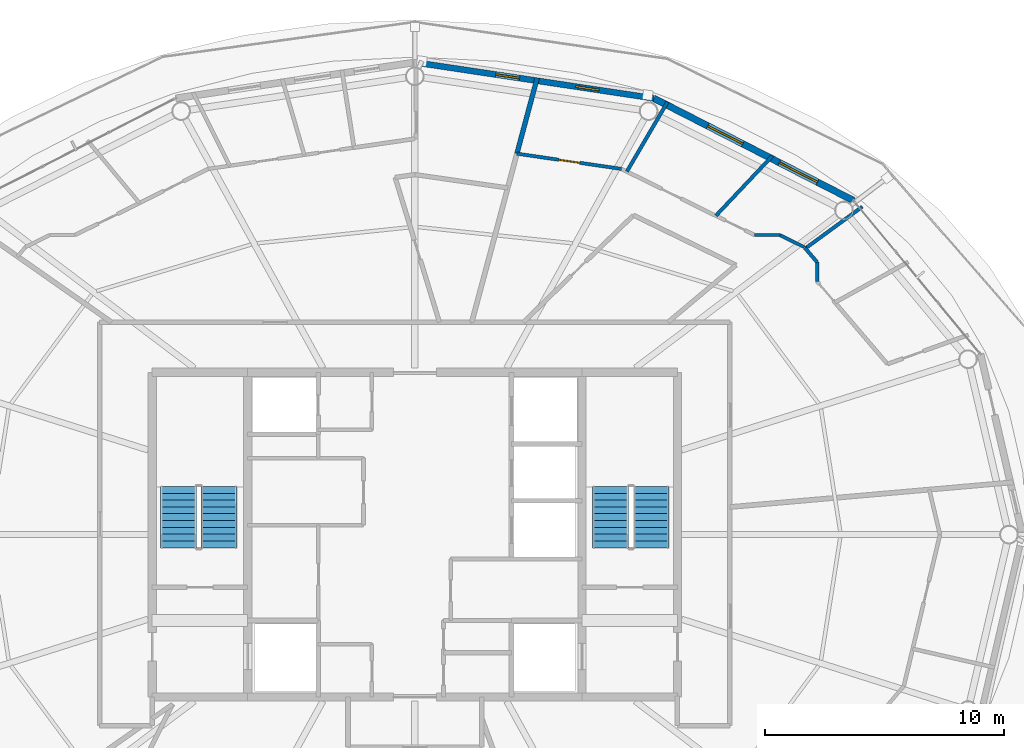
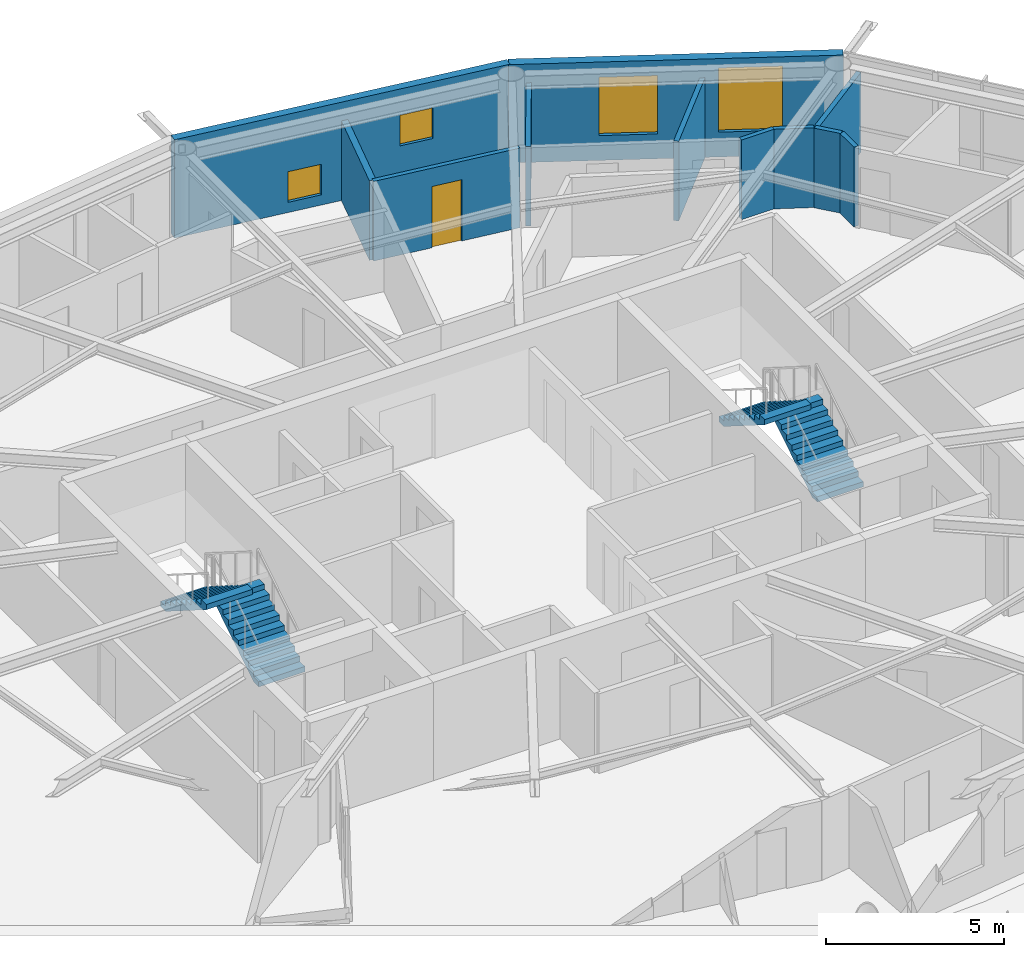
# One storey, part 20 of 23: 11 walls, 4 stair flights, 4 windows, 1 door, 5 openings, 2 elements without a shape of their own.
"""IFC4 building model written with IfcOpenShell, lengths in metres."""

from ifc_helpers import new_model, si_unit, direction, frame, frame_2d, origin, place, context, subcontext, project, spatial, polyline, rectangle, outline, extrude, material, layer, layer_set, type_object, element, fill, aggregate, save


model = new_model("IFC4")

# Units and contexts
model_context = context("Model", 3, precision=1e-05, world=origin(), true_north=direction((0.0, 1.0)))
body_context = subcontext(model_context, "Body", "Model", "MODEL_VIEW")
ifc_project = project(units=[si_unit("LENGTHUNIT", "METRE"), si_unit("AREAUNIT", "SQUARE_METRE"), si_unit("VOLUMEUNIT", "CUBIC_METRE"), si_unit("PLANEANGLEUNIT", "RADIAN"), si_unit("MASSUNIT", "GRAM", prefix="KILO")], contexts=[model_context])

# Site, building, storey
site_placement = place(None, origin())
site = spatial("IfcSite", under=ifc_project, at=site_placement, CompositionType="ELEMENT")
building_placement = place(site_placement, origin())
building = spatial("IfcBuilding", under=site, at=building_placement, Name="Sarneth Arch Tower", CompositionType="ELEMENT")
storey_placement = place(building_placement, frame((0.0, 0.0, 273.0)))
storey = spatial("IfcBuildingStorey", under=building, at=storey_placement, Name="L70", CompositionType="ELEMENT", Elevation=273.0)

# Wall, openings, windows
ifc_material_1 = material(Name="Extruded terracotta rainscreen on Concrete C40/50 backing", Category="masonry")
ifc_layer_1 = layer(ifc_material_1, 0.25)
ifc_layer_set_1 = layer_set([ifc_layer_1], Name="Extruded terracotta rainscreen on Concrete C40/50 backing")
wall_type_1 = type_object("IfcWallType", Name="WALL-EXT-SPAND-250", PredefinedType="SOLIDWALL", material=ifc_layer_set_1)
wall_1_placement = place(storey_placement, frame((58.0126953125, 60.2744140625, 0.0), z_axis=(0.0, 0.0, 1.0), x_axis=(-0.988882522213, 0.148698881169, 0.0)))
wall_1 = element("IfcWall", 1, at=wall_1_placement, inside=storey, type_object=wall_type_1, Name="L70 Terracotta perimeter wall 04", PredefinedType="SOLIDWALL", context=body_context, shape_type="SweptSolid", body=[
    extrude(rectangle(XDim=10.125244140625, YDim=0.25, at=frame_2d((5.0625, 0.0))), origin(), (0.0, 0.0, 1.0), 3.3701171875),
])
opening_1_placement = place(wall_1_placement, frame((2.319580078125, 0.0, 1.419921875)))
opening_1 = element("IfcOpeningElement", 2, at=opening_1_placement, cuts=wall_1, Name="Opening W-14", PredefinedType="OPENING", context=body_context, shape_type="SweptSolid", body=[
    extrude(rectangle(XDim=1.0, YDim=1.050048828125, at=frame_2d((0.5, 0.52490234375))), frame((0.0, 0.135009765625, 0.0), z_axis=(0.0, -1.0, 0.0), x_axis=(1.0, 0.0, 0.0)), (0.0, 0.0, 1.0), 0.27001953125),
])
opening_2_placement = place(wall_1_placement, frame((5.69189453125, 0.0, 0.35009765625)))
opening_2 = element("IfcOpeningElement", 3, at=opening_2_placement, cuts=wall_1, Name="Opening W-14", PredefinedType="OPENING", context=body_context, shape_type="SweptSolid", body=[
    extrude(rectangle(XDim=1.0, YDim=1.050048828125, at=frame_2d((0.5, 0.52490234375))), frame((0.0, 0.135009765625, 0.0), z_axis=(0.0, -1.0, 0.0), x_axis=(1.0, 0.0, 0.0)), (0.0, 0.0, 1.0), 0.27001953125),
])
ifc_material_2 = material(Name="Thermally broken Aluminium 6063-T6 and low-e laminated IGU", Category="aluminium")
window_type_1 = type_object("IfcWindowType", Name="WIN-TWR-1000x1050", PartitioningType="SINGLE_PANEL", PredefinedType="WINDOW", material=ifc_material_2)
window_1_placement = place(opening_1_placement, origin())
window_1 = element("IfcWindow", 4, at=window_1_placement, inside=storey, type_object=window_type_1, Name="L70 Dwelling bedroom window 01", OverallHeight=1.050048828125, OverallWidth=1.0, PartitioningType="SINGLE_PANEL", PredefinedType="WINDOW", context=body_context, shape_type="SweptSolid", body=[
    extrude(rectangle(XDim=1.0, YDim=1.050048828125, at=frame_2d((0.5, 0.52490234375))), frame((0.0, 0.030029296875, 0.0), z_axis=(0.0, -1.0, 0.0), x_axis=(1.0, 0.0, 0.0)), (0.0, 0.0, 1.0), 0.06005859375),
])
fill(opening_1, window_1)
window_2_placement = place(opening_2_placement, origin())
window_2 = element("IfcWindow", 5, at=window_2_placement, inside=storey, type_object=window_type_1, Name="L70 Dwelling bedroom window 02", OverallHeight=1.050048828125, OverallWidth=1.0, PartitioningType="SINGLE_PANEL", PredefinedType="WINDOW", context=body_context, shape_type="SweptSolid", body=[
    extrude(rectangle(XDim=1.0, YDim=1.050048828125, at=frame_2d((0.5, 0.52490234375))), frame((0.0, 0.030029296875, 0.0), z_axis=(0.0, -1.0, 0.0), x_axis=(1.0, 0.0, 0.0)), (0.0, 0.0, 1.0), 0.06005859375),
])
fill(opening_2, window_2)

ifc_material_3 = material(Name="Extruded terracotta rainscreen on Concrete C40/50 backing", Category="masonry")
ifc_layer_2 = layer(ifc_material_3, 0.280029296875)
ifc_layer_set_2 = layer_set([ifc_layer_2], Name="Extruded terracotta rainscreen on Concrete C40/50 backing")
wall_type_2 = type_object("IfcWallType", Name="WALL-EXT-TERRA-280", PredefinedType="SOLIDWALL", material=ifc_layer_set_2)
wall_2_placement = place(storey_placement, frame((66.382568359375, 55.986572265625, 0.0), z_axis=(0.0, 0.0, 1.0), x_axis=(-0.890007394051, 0.455946091699, 0.0)))
wall_2 = element("IfcWall", 6, at=wall_2_placement, inside=storey, type_object=wall_type_2, Name="L70 Terracotta perimeter wall 03", PredefinedType="SOLIDWALL", context=body_context, shape_type="SweptSolid", body=[
    extrude(rectangle(XDim=9.404296875, YDim=0.280029296875, at=frame_2d((4.7021484375, 0.0))), origin(), (0.0, 0.0, 1.0), 3.3701171875),
])
opening_3_placement = place(wall_2_placement, frame((1.706298828125, 0.0, 0.85009765625)))
opening_3 = element("IfcOpeningElement", 7, at=opening_3_placement, cuts=wall_2, Name="Opening W-04", PredefinedType="OPENING", context=body_context, shape_type="SweptSolid", body=[
    extrude(rectangle(XDim=1.800048828125, YDim=2.199951171875, at=frame_2d((0.89990234375, 1.10009765625))), frame((0.0, 0.14990234375, 0.0), z_axis=(0.0, -1.0, 0.0), x_axis=(1.0, 0.0, 0.0)), (0.0, 0.0, 1.0), 0.300048828125),
])
opening_4_placement = place(wall_2_placement, frame((5.22216796875, 0.0, 0.85009765625)))
opening_4 = element("IfcOpeningElement", 8, at=opening_4_placement, cuts=wall_2, Name="Opening W-05", PredefinedType="OPENING", context=body_context, shape_type="SweptSolid", body=[
    extrude(rectangle(XDim=1.64990234375, YDim=2.0, at=frame_2d((0.824951171875, 1.0))), frame((0.0, 0.14990234375, 0.0), z_axis=(0.0, -1.0, 0.0), x_axis=(1.0, 0.0, 0.0)), (0.0, 0.0, 1.0), 0.300048828125),
])
ifc_material_4 = material(Name="Thermally broken Aluminium 6063-T6 and low-e laminated IGU", Category="aluminium")
window_type_2 = type_object("IfcWindowType", Name="WIN-TWR-1650x2000", PartitioningType="DOUBLE_PANEL_VERTICAL", PredefinedType="WINDOW", material=ifc_material_4)
window_3_placement = place(opening_4_placement, origin())
window_3 = element("IfcWindow", 9, at=window_3_placement, inside=storey, type_object=window_type_2, Name="L70 Exterior window 03B", OverallHeight=2.0, OverallWidth=1.64990234375, PartitioningType="SINGLE_PANEL", PredefinedType="WINDOW", context=body_context, shape_type="SweptSolid", body=[
    extrude(rectangle(XDim=1.64990234375, YDim=2.0, at=frame_2d((0.824951171875, 1.0))), frame((0.0, 0.030029296875, 0.0), z_axis=(0.0, -1.0, 0.0), x_axis=(1.0, 0.0, 0.0)), (0.0, 0.0, 1.0), 0.06005859375),
])
fill(opening_4, window_3)
ifc_material_5 = material(Name="Thermally broken Aluminium 6063-T6 and low-e laminated IGU", Category="aluminium")
window_type_3 = type_object("IfcWindowType", Name="WIN-TWR-1800x2200", PartitioningType="DOUBLE_PANEL_VERTICAL", PredefinedType="WINDOW", material=ifc_material_5)
window_4_placement = place(opening_3_placement, origin())
window_4 = element("IfcWindow", 10, at=window_4_placement, inside=storey, type_object=window_type_3, Name="L70 Exterior window 03A", OverallHeight=2.199951171875, OverallWidth=1.800048828125, PartitioningType="SINGLE_PANEL", PredefinedType="WINDOW", context=body_context, shape_type="SweptSolid", body=[
    extrude(rectangle(XDim=1.800048828125, YDim=2.199951171875, at=frame_2d((0.89990234375, 1.10009765625))), frame((0.0, 0.030029296875, 0.0), z_axis=(0.0, -1.0, 0.0), x_axis=(1.0, 0.0, 0.0)), (0.0, 0.0, 1.0), 0.06005859375),
])
fill(opening_3, window_4)

# Wall, opening, door
ifc_material_6 = material(Name="Apartment internal stud partition", Category="gypsum")
ifc_layer_3 = layer(ifc_material_6, 0.139892578125)
ifc_layer_set_3 = layer_set([ifc_layer_3], Name="Apartment internal stud partition")
wall_type_3 = type_object("IfcWallType", Name="WALL-PART-140", PredefinedType="PARTITIONING", material=ifc_layer_set_3)
wall_3_placement = place(storey_placement, frame((56.65478515625, 57.31787109375, 0.0), z_axis=(0.0, 0.0, 1.0), x_axis=(-0.989532652843, 0.144309143708, 0.0)))
wall_3 = element("IfcWall", 11, at=wall_3_placement, inside=storey, type_object=wall_type_3, Name="L70 Interior partition W-L70-TP-032", PredefinedType="PARTITIONING", context=body_context, shape_type="SweptSolid", body=[
    extrude(rectangle(XDim=4.42578125, YDim=0.139892578125, at=frame_2d((2.212890625, 0.0))), origin(), (0.0, 0.0, 1.0), 2.72998046875),
])
opening_5_placement = place(wall_3_placement, frame((1.762939453125, 0.0, 0.0)))
opening_5 = element("IfcOpeningElement", 12, at=opening_5_placement, cuts=wall_3, Name="Opening ID-01", PredefinedType="OPENING", context=body_context, shape_type="SweptSolid", body=[
    extrude(rectangle(XDim=0.89990234375, YDim=2.10009765625, at=frame_2d((0.449951171875, 1.050048828125))), frame((0.0, 0.079833984375, 0.0), z_axis=(0.0, -1.0, 0.0), x_axis=(1.0, 0.0, 0.0)), (0.0, 0.0, 1.0), 0.159912109375),
])
ifc_material_7 = material(Name="Engineered hardwood flush door", Category="wood")
door_type = type_object("IfcDoorType", Name="DR-INT-900", OperationType="SINGLE_SWING_LEFT", PredefinedType="DOOR", material=ifc_material_7)
door_placement = place(opening_5_placement, origin())
door = element("IfcDoor", 13, at=door_placement, inside=storey, type_object=door_type, Name="L70 Interior door DR-L70-U1-BED3", OperationType="SINGLE_SWING_LEFT", OverallHeight=2.10009765625, OverallWidth=0.89990234375, PredefinedType="DOOR", context=body_context, shape_type="SweptSolid", body=[
    extrude(rectangle(XDim=0.89990234375, YDim=2.10009765625, at=frame_2d((0.449951171875, 1.050048828125))), frame((0.0, 0.02490234375, 0.0), z_axis=(0.0, -1.0, 0.0), x_axis=(1.0, 0.0, 0.0)), (0.0, 0.0, 1.0), 0.050048828125),
])
fill(opening_5, door)

# Walls
wall_4_placement = place(storey_placement, frame((64.31103515625, 54.0419921875, 0.0), z_axis=(0.0, 0.0, 1.0), x_axis=(-0.895409226325, 0.445244109912, 0.0)))
element("IfcWall", 14, at=wall_4_placement, inside=storey, type_object=wall_type_3, Name="L70 Interior partition W-L70-TP-027", PredefinedType="PARTITIONING", context=body_context, shape_type="SweptSolid", body=[
    extrude(rectangle(XDim=1.14111328125, YDim=0.139892578125, at=frame_2d((0.570556640625, 0.0))), origin(), (0.0, 0.0, 1.0), 2.72998046875),
])
wall_5_placement = place(storey_placement, frame((63.289306640625, 54.550048828125, 0.0), z_axis=(0.0, 0.0, 1.0), x_axis=(-1.0, 0.0, 0.0)))
element("IfcWall", 15, at=wall_5_placement, inside=storey, type_object=wall_type_3, Name="L70 Interior partition W-L70-TP-028", PredefinedType="PARTITIONING", context=body_context, shape_type="SweptSolid", body=[
    extrude(rectangle(XDim=1.0625, YDim=0.139892578125, at=frame_2d((0.53125, 0.0))), origin(), (0.0, 0.0, 1.0), 2.72998046875),
])
ifc_material_8 = material(Name="Acoustic gypsum stud partition", Category="gypsum")
ifc_layer_4 = layer(ifc_material_8, 0.14990234375)
ifc_layer_set_4 = layer_set([ifc_layer_4], Name="Acoustic gypsum stud partition")
wall_type_4 = type_object("IfcWallType", Name="WALL-PART-150", PredefinedType="PARTITIONING", material=ifc_layer_set_4)
wall_6_placement = place(storey_placement, frame((60.608154296875, 55.35400390625, 0.0), z_axis=(0.0, 0.0, 1.0), x_axis=(0.686532055538, 0.727099537009, 0.0)))
element("IfcWall", 16, at=wall_6_placement, inside=storey, type_object=wall_type_4, Name="L70 Interior partition W-L70-TP-039", PredefinedType="PARTITIONING", context=body_context, shape_type="SweptSolid", body=[
    extrude(rectangle(XDim=3.448486328125, YDim=0.14990234375, at=frame_2d((1.72412109375, 0.0))), origin(), (0.0, 0.0, 1.0), 2.72998046875),
])
wall_7_placement = place(storey_placement, frame((58.580810546875, 60.117919921875, 0.0), z_axis=(0.0, 0.0, 1.0), x_axis=(-0.504280622188, -0.863539839316, 0.0)))
element("IfcWall", 17, at=wall_7_placement, inside=storey, type_object=wall_type_4, Name="L70 Interior partition W-L70-TP-040", PredefinedType="PARTITIONING", context=body_context, shape_type="SweptSolid", body=[
    extrude(rectangle(XDim=3.3720703125, YDim=0.14990234375, at=frame_2d((1.68603515625, 0.0))), origin(), (0.0, 0.0, 1.0), 2.72998046875),
])
wall_8_placement = place(storey_placement, frame((66.7451171875, 55.736328125, 0.0), z_axis=(0.0, 0.0, 1.0), x_axis=(-0.806661949914, -0.591013112005, 0.0)))
element("IfcWall", 18, at=wall_8_placement, inside=storey, type_object=wall_type_4, Name="L70 Interior partition W-L70-TP-038", PredefinedType="PARTITIONING", context=body_context, shape_type="SweptSolid", body=[
    extrude(rectangle(XDim=2.95947265625, YDim=0.14990234375, at=frame_2d((1.479736328125, 0.0))), origin(), (0.0, 0.0, 1.0), 2.72998046875),
])
wall_9_placement = place(storey_placement, frame((64.85009765625, 53.410400390625, 0.0), z_axis=(0.0, 0.0, 1.0), x_axis=(0.0, -1.0, 0.0)))
element("IfcWall", 19, at=wall_9_placement, inside=storey, type_object=wall_type_4, Name="L70 Interior partition W-L70-TP-020", PredefinedType="PARTITIONING", context=body_context, shape_type="SweptSolid", body=[
    extrude(rectangle(XDim=0.8115234375, YDim=0.14990234375, at=frame_2d((0.40576171875, 0.0))), origin(), (0.0, 0.0, 1.0), 2.72998046875),
])
wall_10_placement = place(storey_placement, frame((64.337158203125, 54.01171875, 0.0), z_axis=(0.0, 0.0, 1.0), x_axis=(0.648983418766, -0.760802551367, 0.0)))
element("IfcWall", 20, at=wall_10_placement, inside=storey, type_object=wall_type_4, Name="L70 Interior partition W-L70-TP-019", PredefinedType="PARTITIONING", context=body_context, shape_type="SweptSolid", body=[
    extrude(rectangle(XDim=0.790283203125, YDim=0.14990234375, at=frame_2d((0.39501953125, 0.0))), origin(), (0.0, 0.0, 1.0), 2.72998046875),
])
ifc_material_9 = material(Name="Double steel-stud acoustic drywall", Category="steel")
ifc_layer_5 = layer(ifc_material_9, 0.199951171875)
ifc_layer_set_5 = layer_set([ifc_layer_5], Name="Double steel-stud acoustic drywall")
wall_type_5 = type_object("IfcWallType", Name="WALL-UNIT-200", PredefinedType="PARTITIONING", material=ifc_layer_set_5)
wall_11_placement = place(storey_placement, frame((52.275390625, 57.95654296875, 0.0), z_axis=(0.0, 0.0, 1.0), x_axis=(0.258901994846, 0.965903596155, 0.0)))
element("IfcWall", 21, at=wall_11_placement, inside=storey, type_object=wall_type_5, Name="L70 Interior partition W-L70-TP-041", PredefinedType="PARTITIONING", context=body_context, shape_type="SweptSolid", body=[
    extrude(rectangle(XDim=3.285400390625, YDim=0.199951171875, at=frame_2d((1.642578125, 0.0))), origin(), (0.0, 0.0, 1.0), 2.72998046875),
])

# Stair, stair flights
ifc_material_10 = material(Name="Concrete C50/60", Category="concrete")
stair_type = type_object("IfcStairType", Name="STAIR-CORE-RC", PredefinedType="HALF_TURN_STAIR", material=ifc_material_10)
stair_1_placement = place(storey_placement, origin())
stair_1 = element("IfcStair", 22, at=stair_1_placement, inside=storey, type_object=stair_type, Name="L70 Core Exit Stair 1", PredefinedType="HALF_TURN_STAIR")
ifc_material_11 = material(Name="Concrete C50/60", Category="concrete")
stair_flight_type = type_object("IfcStairFlightType", Name="FLIGHT-RC-1500", PredefinedType="STRAIGHT", material=ifc_material_11)
stair_flight_1_placement = place(storey_placement, frame((39.800048828125, 41.449951171875, 0.0), z_axis=(0.0, 0.0, 1.0), x_axis=(0.0, 1.0, 0.0)))
stair_flight_1 = element("IfcStairFlight", 23, at=stair_flight_1_placement, type_object=stair_flight_type, Name="ST-1 flight 1", NumberOfRisers=10, NumberOfTreads=9, PredefinedType="STRAIGHT", RiserHeight=0.18, TreadLength=0.285, context=body_context, shape_type="SweptSolid", body=[
    extrude(outline(polyline([(0.0, 0.0), (0.0, 0.179931640625), (0.284912109375, 0.179931640625), (0.284912109375, 0.360107421875), (0.570068359375, 0.360107421875), (0.570068359375, 0.5400390625), (0.85498046875, 0.5400390625), (0.85498046875, 0.719970703125), (1.139892578125, 0.719970703125), (1.139892578125, 0.89990234375), (1.425048828125, 0.89990234375), (1.425048828125, 1.080078125), (1.7099609375, 1.080078125), (1.7099609375, 1.260009765625), (1.9951171875, 1.260009765625), (1.9951171875, 1.43994140625), (2.280029296875, 1.43994140625), (2.280029296875, 1.6201171875), (2.56494140625, 1.6201171875), (2.56494140625, 1.800048828125), (2.56494140625, 1.442626953125), (0.28076171875, 0.0), (0.0, 0.0)])), frame((0.0, 0.75, 0.0), z_axis=(0.0, -1.0, 0.0), x_axis=(1.0, 0.0, 0.0)), (0.0, 0.0, 1.0), 1.5),
])
stair_flight_2_placement = place(storey_placement, frame((38.10009765625, 44.014892578125, 1.800048828125), z_axis=(0.0, 0.0, 1.0), x_axis=(0.0, -1.0, 0.0)))
stair_flight_2 = element("IfcStairFlight", 24, at=stair_flight_2_placement, type_object=stair_flight_type, Name="ST-1 flight 2", NumberOfRisers=10, NumberOfTreads=9, PredefinedType="STRAIGHT", RiserHeight=0.18, TreadLength=0.285, context=body_context, shape_type="SweptSolid", body=[
    extrude(outline(polyline([(0.0, 0.0), (0.0, 0.179931640625), (0.284912109375, 0.179931640625), (0.284912109375, 0.360107421875), (0.570068359375, 0.360107421875), (0.570068359375, 0.5400390625), (0.85498046875, 0.5400390625), (0.85498046875, 0.719970703125), (1.139892578125, 0.719970703125), (1.139892578125, 0.89990234375), (1.425048828125, 0.89990234375), (1.425048828125, 1.080078125), (1.7099609375, 1.080078125), (1.7099609375, 1.260009765625), (1.9951171875, 1.260009765625), (1.9951171875, 1.43994140625), (2.280029296875, 1.43994140625), (2.280029296875, 1.6201171875), (2.56494140625, 1.6201171875), (2.56494140625, 1.800048828125), (2.56494140625, 1.442626953125), (0.28076171875, 0.0), (0.0, 0.0)])), frame((0.0, 0.75, 0.0), z_axis=(0.0, -1.0, 0.0), x_axis=(1.0, 0.0, 0.0)), (0.0, 0.0, 1.0), 1.5),
])
aggregate(stair_1, [stair_flight_1, stair_flight_2])

stair_2_placement = place(storey_placement, origin())
stair_2 = element("IfcStair", 25, at=stair_2_placement, inside=storey, type_object=stair_type, Name="L70 Core Exit Stair 2", PredefinedType="HALF_TURN_STAIR")
stair_flight_3_placement = place(storey_placement, frame((57.89990234375, 41.449951171875, 0.0), z_axis=(0.0, 0.0, 1.0), x_axis=(0.0, 1.0, 0.0)))
stair_flight_3 = element("IfcStairFlight", 26, at=stair_flight_3_placement, type_object=stair_flight_type, Name="ST-2 flight 1", NumberOfRisers=10, NumberOfTreads=9, PredefinedType="STRAIGHT", RiserHeight=0.18, TreadLength=0.285, context=body_context, shape_type="SweptSolid", body=[
    extrude(outline(polyline([(0.0, 0.0), (0.0, 0.179931640625), (0.284912109375, 0.179931640625), (0.284912109375, 0.360107421875), (0.570068359375, 0.360107421875), (0.570068359375, 0.5400390625), (0.85498046875, 0.5400390625), (0.85498046875, 0.719970703125), (1.139892578125, 0.719970703125), (1.139892578125, 0.89990234375), (1.425048828125, 0.89990234375), (1.425048828125, 1.080078125), (1.7099609375, 1.080078125), (1.7099609375, 1.260009765625), (1.9951171875, 1.260009765625), (1.9951171875, 1.43994140625), (2.280029296875, 1.43994140625), (2.280029296875, 1.6201171875), (2.56494140625, 1.6201171875), (2.56494140625, 1.800048828125), (2.56494140625, 1.442626953125), (0.28076171875, 0.0), (0.0, 0.0)])), frame((0.0, 0.75, 0.0), z_axis=(0.0, -1.0, 0.0), x_axis=(1.0, 0.0, 0.0)), (0.0, 0.0, 1.0), 1.5),
])
stair_flight_4_placement = place(storey_placement, frame((56.199951171875, 44.014892578125, 1.800048828125), z_axis=(0.0, 0.0, 1.0), x_axis=(0.0, -1.0, 0.0)))
stair_flight_4 = element("IfcStairFlight", 27, at=stair_flight_4_placement, type_object=stair_flight_type, Name="ST-2 flight 2", NumberOfRisers=10, NumberOfTreads=9, PredefinedType="STRAIGHT", RiserHeight=0.18, TreadLength=0.285, context=body_context, shape_type="SweptSolid", body=[
    extrude(outline(polyline([(0.0, 0.0), (0.0, 0.179931640625), (0.284912109375, 0.179931640625), (0.284912109375, 0.360107421875), (0.570068359375, 0.360107421875), (0.570068359375, 0.5400390625), (0.85498046875, 0.5400390625), (0.85498046875, 0.719970703125), (1.139892578125, 0.719970703125), (1.139892578125, 0.89990234375), (1.425048828125, 0.89990234375), (1.425048828125, 1.080078125), (1.7099609375, 1.080078125), (1.7099609375, 1.260009765625), (1.9951171875, 1.260009765625), (1.9951171875, 1.43994140625), (2.280029296875, 1.43994140625), (2.280029296875, 1.6201171875), (2.56494140625, 1.6201171875), (2.56494140625, 1.800048828125), (2.56494140625, 1.442626953125), (0.28076171875, 0.0), (0.0, 0.0)])), frame((0.0, 0.75, 0.0), z_axis=(0.0, -1.0, 0.0), x_axis=(1.0, 0.0, 0.0)), (0.0, 0.0, 1.0), 1.5),
])
aggregate(stair_2, [stair_flight_3, stair_flight_4])

save(model, "model.ifc")
